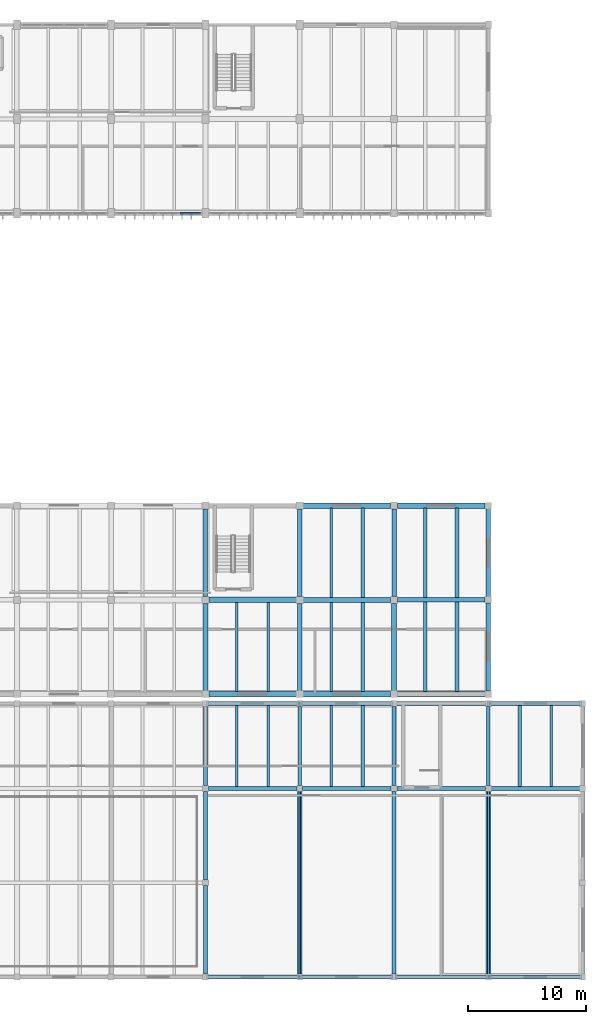
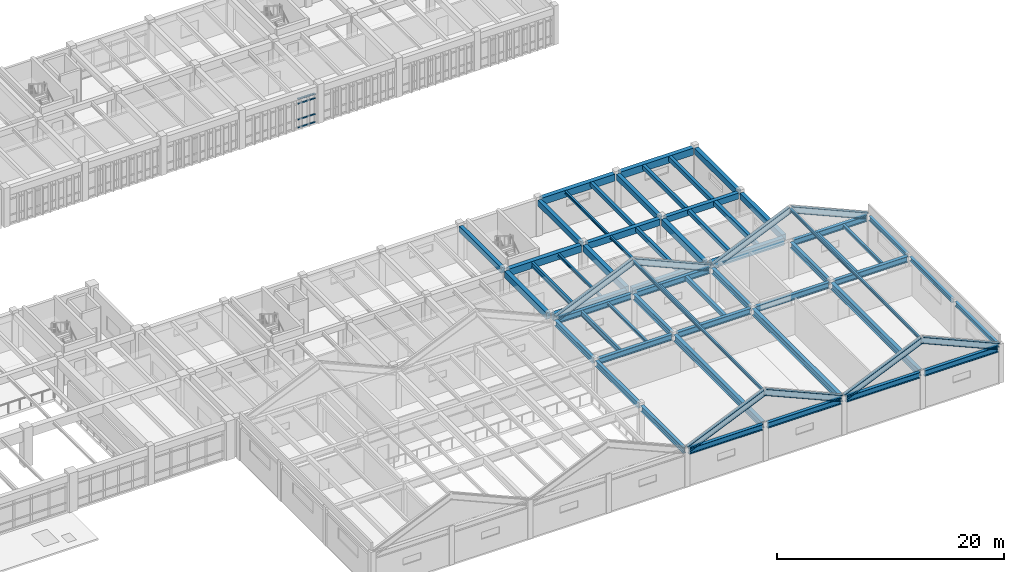
# One storey, part 26 of 67: 55 beams, 14 members, 1 element without a shape of its own.
"""IFC4 building model written with IfcOpenShell, lengths in metres."""

from ifc_helpers import new_model, si_unit, direction, frame, origin, origin_2d, place, context, subcontext, project, spatial, rectangle, i_section, extrude, material, material_profile, profile_set, type_object, element, aggregate, save


model = new_model("IFC4")

# Units and contexts
model_context = context("Model", 3, precision=1e-05, world=origin(), true_north=direction((0.0, 1.0)))
body_context = subcontext(model_context, "Body", "Model", "MODEL_VIEW")
ifc_project = project(units=[si_unit("LENGTHUNIT", "METRE"), si_unit("AREAUNIT", "SQUARE_METRE"), si_unit("VOLUMEUNIT", "CUBIC_METRE"), si_unit("PLANEANGLEUNIT", "RADIAN"), si_unit("MASSUNIT", "GRAM", prefix="KILO")], contexts=[model_context])

# Site, building, storey
site_placement = place(None, origin())
site = spatial("IfcSite", under=ifc_project, at=site_placement, CompositionType="ELEMENT")
building_placement = place(site_placement, origin())
building = spatial("IfcBuilding", under=site, at=building_placement, Name="Tlaxcora Railside Police Headquarters", CompositionType="ELEMENT")
storey_placement = place(building_placement, frame((0.0, 0.0, 4.800048828125)))
storey = spatial("IfcBuildingStorey", under=building, at=storey_placement, Name="L01", CompositionType="ELEMENT", Elevation=4.800048828125)

# Curtain wall, members
ifc_material_1 = material(Name="Thermally broken low-E insulated glazing", Category="glass")
curtain_wall_type = type_object("IfcCurtainWallType", Name="Unitised Curtain Wall Assembly CW-83", PredefinedType="NOTDEFINED", material=ifc_material_1)
curtain_wall_placement = place(storey_placement, origin())
curtain_wall = element("IfcCurtainWall", 1, at=curtain_wall_placement, inside=storey, type_object=curtain_wall_type, Name="V6 L01 curtain wall 147", PredefinedType="NOTDEFINED")
ifc_material_2 = material(Name="Anodised aluminium framing", Category="aluminium")
ifc_material_profile_1 = material_profile(ifc_material_2, rectangle(XDim=0.159912109375, YDim=0.080078125, at=origin_2d()), Name="AL80X160")
ifc_profile_set_1 = profile_set([ifc_material_profile_1], Name="Anodised aluminium framing")
member_type_1 = type_object("IfcMemberType", Name="Curtain Wall Transom CW-82", PredefinedType="USERDEFINED", material=ifc_profile_set_1)
member_1_placement = place(storey_placement, frame((132.6650390625, 76.800048828125, 0.0400390625), z_axis=(1.0, 0.0, 0.0), x_axis=(0.0, 1.0, 0.0)))
member_1 = element("IfcMember", 2, at=member_1_placement, type_object=member_type_1, Name="CW transom 4.1", ObjectType="TRANSOM", PredefinedType="USERDEFINED", context=body_context, shape_type="SweptSolid", body=[
    extrude(rectangle(XDim=0.159912109375, YDim=0.080078125, at=origin_2d()), origin(), (0.0, 0.0, 1.0), 1.705078125),
])
member_2_placement = place(storey_placement, frame((132.6650390625, 76.800048828125, 0.89990234375), z_axis=(1.0, 0.0, 0.0), x_axis=(0.0, 1.0, 0.0)))
member_2 = element("IfcMember", 3, at=member_2_placement, type_object=member_type_1, Name="CW transom 4.2", ObjectType="TRANSOM", PredefinedType="USERDEFINED", context=body_context, shape_type="SweptSolid", body=[
    extrude(rectangle(XDim=0.159912109375, YDim=0.080078125, at=origin_2d()), origin(), (0.0, 0.0, 1.0), 1.705078125),
])
member_3_placement = place(storey_placement, frame((132.6650390625, 76.800048828125, 2.60986328125), z_axis=(1.0, 0.0, 0.0), x_axis=(0.0, 1.0, 0.0)))
member_3 = element("IfcMember", 4, at=member_3_placement, type_object=member_type_1, Name="CW transom 4.3", ObjectType="TRANSOM", PredefinedType="USERDEFINED", context=body_context, shape_type="SweptSolid", body=[
    extrude(rectangle(XDim=0.159912109375, YDim=0.080078125, at=origin_2d()), origin(), (0.0, 0.0, 1.0), 1.705078125),
])
member_4_placement = place(storey_placement, frame((132.6650390625, 76.800048828125, 3.099853515625), z_axis=(1.0, 0.0, 0.0), x_axis=(0.0, 1.0, 0.0)))
member_4 = element("IfcMember", 5, at=member_4_placement, type_object=member_type_1, Name="CW transom 4.4", ObjectType="TRANSOM", PredefinedType="USERDEFINED", context=body_context, shape_type="SweptSolid", body=[
    extrude(rectangle(XDim=0.159912109375, YDim=0.080078125, at=origin_2d()), origin(), (0.0, 0.0, 1.0), 1.705078125),
])
aggregate(curtain_wall, [member_1, member_2, member_3, member_4])

# Beams
ifc_material_3 = material(Name="Steel ASTM A992 Grade 50", Category="steel")
ifc_material_profile_2 = material_profile(ifc_material_3, i_section(OverallWidth=0.280029296875, OverallDepth=0.4619140625, WebThickness=0.0107421875, FlangeThickness=0.017333984375, at=origin_2d()), Name="W18X76")
ifc_profile_set_2 = profile_set([ifc_material_profile_2], Name="Steel ASTM A992 Grade 50")
beam_type_1 = type_object("IfcBeamType", Name="Perimeter Spandrel Beam BM-33", PredefinedType="SPANDREL", material=ifc_profile_set_2)
for number, where, z_axis, x_axis, name in (
    (6, (166.800048828125, 12.239990234375, 3.718994140625), (0.0, 1.0, 0.0), (-1.0, 0.0, 0.0), "V3 L01 Y-girder X=166.8"),
    (7, (166.800048828125, 20.239990234375, 3.718994140625), (0.0, 1.0, 0.0), (-1.0, 0.0, 0.0), "V3 L01 Y-girder X=166.8"),
):
    element("IfcBeam", number, at=place(storey_placement, frame(where, z_axis=z_axis, x_axis=x_axis)), inside=storey, type_object=beam_type_1, Name=name, PredefinedType="SPANDREL", context=body_context, shape_type="SweptSolid", body=[
        extrude(i_section(OverallWidth=0.280029296875, OverallDepth=0.4619140625, WebThickness=0.0107421875, FlangeThickness=0.017333984375, at=origin_2d()), origin(), (0.0, 0.0, 1.0), 7.52001953125),
    ])
beam_1_placement = place(storey_placement, frame((166.800048828125, 28.239990234375, 3.718994140625), z_axis=(0.0, 1.0, 0.0), x_axis=(-1.0, 0.0, 0.0)))
element("IfcBeam", 8, at=beam_1_placement, inside=storey, type_object=beam_type_1, Name="V3 L01 Y-girder X=166.8", PredefinedType="SPANDREL", context=body_context, shape_type="SweptSolid", body=[
    extrude(i_section(OverallWidth=0.280029296875, OverallDepth=0.4619140625, WebThickness=0.0107421875, FlangeThickness=0.017333984375, at=origin_2d()), origin(), (0.0, 0.0, 1.0), 6.719970703125),
])
ifc_material_4 = material(Name="Concrete C40/50", Category="concrete")
ifc_material_profile_3 = material_profile(ifc_material_4, rectangle(XDim=0.39990234375, YDim=0.64990234375, at=origin_2d()), Name="RC400X650")
ifc_profile_set_3 = profile_set([ifc_material_profile_3], Name="Concrete C40/50")
beam_type_2 = type_object("IfcBeamType", Name="Perimeter Spandrel Beam BM-46", PredefinedType="SPANDREL", material=ifc_profile_set_3)
for number, where, z_axis, x_axis, name in (
    (9, (158.800048828125, 36.264892578125, 3.5849609375), (0.0, 1.0, 0.0), (-1.0, 0.0, 0.0), "V7 L01 Y-girder X=158.8"),
    (10, (158.800048828125, 44.264892578125, 3.5849609375), (0.0, 1.0, 0.0), (-1.0, 0.0, 0.0), "V7 L01 Y-girder X=158.8"),
):
    element("IfcBeam", number, at=place(storey_placement, frame(where, z_axis=z_axis, x_axis=x_axis)), inside=storey, type_object=beam_type_2, Name=name, PredefinedType="SPANDREL", context=body_context, shape_type="SweptSolid", body=[
        extrude(rectangle(XDim=0.39990234375, YDim=0.64990234375, at=origin_2d()), origin(), (0.0, 0.0, 1.0), 7.47021484375),
    ])
ifc_material_profile_4 = material_profile(ifc_material_3, i_section(OverallWidth=0.324951171875, OverallDepth=0.616943359375, WebThickness=0.013916015625, FlangeThickness=0.021484375, at=origin_2d()), Name="W24X117")
ifc_profile_set_4 = profile_set([ifc_material_profile_4], Name="Steel ASTM A992 Grade 50")
beam_type_3 = type_object("IfcBeamType", Name="Perimeter Spandrel Beam BM-60", PredefinedType="SPANDREL", material=ifc_profile_set_4)
for number, where, z_axis, x_axis, name in (
    (11, (135.0400390625, 12.0, 3.641357421875), (1.0, 0.0, 0.0), (0.0, 1.0, 0.0), "V3 L01 X-girder Y=12.0"),
    (12, (143.0400390625, 12.0, 3.641357421875), (1.0, 0.0, 0.0), (0.0, 1.0, 0.0), "V3 L01 X-girder Y=12.0"),
    (13, (151.0400390625, 12.0, 3.641357421875), (1.0, 0.0, 0.0), (0.0, 1.0, 0.0), "V3 L01 X-girder Y=12.0"),
    (14, (159.0400390625, 12.0, 3.641357421875), (1.0, 0.0, 0.0), (0.0, 1.0, 0.0), "V3 L01 X-girder Y=12.0"),
    (15, (135.0400390625, 35.199951171875, 3.641357421875), (1.0, 0.0, 0.0), (0.0, 1.0, 0.0), "V3 L01 X-girder Y=35.2"),
    (16, (143.0400390625, 35.199951171875, 3.641357421875), (1.0, 0.0, 0.0), (0.0, 1.0, 0.0), "V3 L01 X-girder Y=35.2"),
    (17, (159.0400390625, 35.199951171875, 3.641357421875), (1.0, 0.0, 0.0), (0.0, 1.0, 0.0), "V3 L01 X-girder Y=35.2"),
):
    element("IfcBeam", number, at=place(storey_placement, frame(where, z_axis=z_axis, x_axis=x_axis)), inside=storey, type_object=beam_type_3, Name=name, PredefinedType="SPANDREL", context=body_context, shape_type="SweptSolid", body=[
        extrude(i_section(OverallWidth=0.324951171875, OverallDepth=0.616943359375, WebThickness=0.013916015625, FlangeThickness=0.021484375, at=origin_2d()), origin(), (0.0, 0.0, 1.0), 7.52001953125),
    ])
ifc_material_profile_5 = material_profile(ifc_material_4, rectangle(XDim=0.449951171875, YDim=0.75, at=origin_2d()), Name="RC450X750")
ifc_profile_set_5 = profile_set([ifc_material_profile_5], Name="Concrete C40/50")
beam_type_4 = type_object("IfcBeamType", Name="Perimeter Spandrel Beam BM-86", PredefinedType="SPANDREL", material=ifc_profile_set_5)
for number, where, z_axis, x_axis, name in (
    (18, (135.090087890625, 36.0, 3.534912109375), (1.0, 0.0, 0.0), (0.0, 1.0, 0.0), "V7 L01 X-girder Y=36.0"),
    (19, (143.090087890625, 36.0, 3.534912109375), (1.0, 0.0, 0.0), (0.0, 1.0, 0.0), "V7 L01 X-girder Y=36.0"),
):
    element("IfcBeam", number, at=place(storey_placement, frame(where, z_axis=z_axis, x_axis=x_axis)), inside=storey, type_object=beam_type_4, Name=name, PredefinedType="SPANDREL", context=body_context, shape_type="SweptSolid", body=[
        extrude(rectangle(XDim=0.449951171875, YDim=0.75, at=origin_2d()), origin(), (0.0, 0.0, 1.0), 7.419921875),
    ])
beam_2_placement = place(storey_placement, frame((151.090087890625, 36.0, 3.534912109375), z_axis=(1.0, 0.0, 0.0), x_axis=(0.0, 1.0, 0.0)))
element("IfcBeam", 20, at=beam_2_placement, inside=storey, type_object=beam_type_4, Name="V7 L01 X-girder Y=36.0", PredefinedType="SPANDREL", context=body_context, shape_type="SweptSolid", body=[
    extrude(rectangle(XDim=0.449951171875, YDim=0.75, at=origin_2d()), origin(), (0.0, 0.0, 1.0), 7.44482421875),
])
beam_3_placement = place(storey_placement, frame((143.090087890625, 52.0, 3.534912109375), z_axis=(1.0, 0.0, 0.0), x_axis=(0.0, 1.0, 0.0)))
element("IfcBeam", 21, at=beam_3_placement, inside=storey, type_object=beam_type_4, Name="V7 L01 X-girder Y=52.0", PredefinedType="SPANDREL", context=body_context, shape_type="SweptSolid", body=[
    extrude(rectangle(XDim=0.449951171875, YDim=0.75, at=origin_2d()), origin(), (0.0, 0.0, 1.0), 7.419921875),
])
beam_4_placement = place(storey_placement, frame((151.090087890625, 52.0, 3.534912109375), z_axis=(1.0, 0.0, 0.0), x_axis=(0.0, 1.0, 0.0)))
element("IfcBeam", 22, at=beam_4_placement, inside=storey, type_object=beam_type_4, Name="V7 L01 X-girder Y=52.0", PredefinedType="SPANDREL", context=body_context, shape_type="SweptSolid", body=[
    extrude(rectangle(XDim=0.449951171875, YDim=0.75, at=origin_2d()), origin(), (0.0, 0.0, 1.0), 7.44482421875),
])
ifc_material_profile_6 = material_profile(ifc_material_4, rectangle(XDim=0.3798828125, YDim=0.60009765625, at=origin_2d()), Name="RC380X600")
ifc_profile_set_6 = profile_set([ifc_material_profile_6], Name="Concrete C40/50")
beam_type_5 = type_object("IfcBeamType", Name="Primary Frame Girder BM-22", PredefinedType="BEAM", material=ifc_profile_set_6)
for number, where, z_axis, x_axis, name in (
    (23, (134.800048828125, 44.2900390625, 3.60986328125), (0.0, 1.0, 0.0), (-1.0, 0.0, 0.0), "V7 L01 Y-girder X=134.8"),
    (24, (142.800048828125, 44.2900390625, 3.60986328125), (0.0, 1.0, 0.0), (-1.0, 0.0, 0.0), "V7 L01 Y-girder X=142.8"),
    (25, (150.800048828125, 44.2900390625, 3.60986328125), (0.0, 1.0, 0.0), (-1.0, 0.0, 0.0), "V7 L01 Y-girder X=150.8"),
):
    element("IfcBeam", number, at=place(storey_placement, frame(where, z_axis=z_axis, x_axis=x_axis)), inside=storey, type_object=beam_type_5, Name=name, PredefinedType="BEAM", context=body_context, shape_type="SweptSolid", body=[
        extrude(rectangle(XDim=0.3798828125, YDim=0.60009765625, at=origin_2d()), origin(), (0.0, 0.0, 1.0), 7.419921875),
    ])
ifc_material_profile_7 = material_profile(ifc_material_4, rectangle(XDim=0.419921875, YDim=0.699951171875, at=origin_2d()), Name="RC420X700")
ifc_profile_set_7 = profile_set([ifc_material_profile_7], Name="Concrete C40/50")
beam_type_6 = type_object("IfcBeamType", Name="Primary Frame Girder BM-35", PredefinedType="BEAM", material=ifc_profile_set_7)
for number, where, z_axis, x_axis, name in (
    (26, (143.090087890625, 44.0, 3.56005859375), (1.0, 0.0, 0.0), (0.0, 1.0, 0.0), "V7 L01 X-girder Y=44.0"),
    (27, (134.800048828125, 36.2900390625, 3.56005859375), (0.0, 1.0, 0.0), (-1.0, 0.0, 0.0), "V7 L01 Y-girder X=134.8"),
    (28, (142.800048828125, 36.2900390625, 3.56005859375), (0.0, 1.0, 0.0), (-1.0, 0.0, 0.0), "V7 L01 Y-girder X=142.8"),
    (29, (150.800048828125, 36.2900390625, 3.56005859375), (0.0, 1.0, 0.0), (-1.0, 0.0, 0.0), "V7 L01 Y-girder X=150.8"),
):
    element("IfcBeam", number, at=place(storey_placement, frame(where, z_axis=z_axis, x_axis=x_axis)), inside=storey, type_object=beam_type_6, Name=name, PredefinedType="BEAM", context=body_context, shape_type="SweptSolid", body=[
        extrude(rectangle(XDim=0.419921875, YDim=0.699951171875, at=origin_2d()), origin(), (0.0, 0.0, 1.0), 7.419921875),
    ])
ifc_material_profile_8 = material_profile(ifc_material_4, rectangle(XDim=0.39990234375, YDim=0.64990234375, at=origin_2d()), Name="RC400X650")
ifc_profile_set_8 = profile_set([ifc_material_profile_8], Name="Concrete C40/50")
beam_type_7 = type_object("IfcBeamType", Name="Primary Frame Girder BM-41", PredefinedType="BEAM", material=ifc_profile_set_8)
beam_5_placement = place(storey_placement, frame((151.090087890625, 44.0, 3.5849609375), z_axis=(1.0, 0.0, 0.0), x_axis=(0.0, 1.0, 0.0)))
element("IfcBeam", 30, at=beam_5_placement, inside=storey, type_object=beam_type_7, Name="V7 L01 X-girder Y=44.0", PredefinedType="BEAM", context=body_context, shape_type="SweptSolid", body=[
    extrude(rectangle(XDim=0.39990234375, YDim=0.64990234375, at=origin_2d()), origin(), (0.0, 0.0, 1.0), 7.44482421875),
])
ifc_material_profile_9 = material_profile(ifc_material_3, i_section(OverallWidth=0.324951171875, OverallDepth=0.616943359375, WebThickness=0.013916015625, FlangeThickness=0.021484375, at=origin_2d()), Name="W24X117")
ifc_profile_set_9 = profile_set([ifc_material_profile_9], Name="Steel ASTM A992 Grade 50")
beam_type_8 = type_object("IfcBeamType", Name="Primary Frame Girder BM-72", PredefinedType="BEAM", material=ifc_profile_set_9)
for number, where, z_axis, x_axis, name in (
    (31, (134.800048828125, 12.239990234375, 3.641357421875), (0.0, 1.0, 0.0), (-1.0, 0.0, 0.0), "V3 L01 Y-girder X=134.8"),
    (32, (134.800048828125, 20.239990234375, 3.641357421875), (0.0, 1.0, 0.0), (-1.0, 0.0, 0.0), "V3 L01 Y-girder X=134.8"),
):
    element("IfcBeam", number, at=place(storey_placement, frame(where, z_axis=z_axis, x_axis=x_axis)), inside=storey, type_object=beam_type_8, Name=name, PredefinedType="BEAM", context=body_context, shape_type="SweptSolid", body=[
        extrude(i_section(OverallWidth=0.324951171875, OverallDepth=0.616943359375, WebThickness=0.013916015625, FlangeThickness=0.021484375, at=origin_2d()), origin(), (0.0, 0.0, 1.0), 7.52001953125),
    ])
for number, where, z_axis, x_axis, name in (
    (33, (134.800048828125, 28.239990234375, 3.641357421875), (0.0, 1.0, 0.0), (-1.0, 0.0, 0.0), "V3 L01 Y-girder X=134.8"),
    (34, (142.800048828125, 28.239990234375, 3.641357421875), (0.0, 1.0, 0.0), (-1.0, 0.0, 0.0), "V3 L01 Y-girder X=142.8"),
    (35, (150.800048828125, 28.239990234375, 3.641357421875), (0.0, 1.0, 0.0), (-1.0, 0.0, 0.0), "V3 L01 Y-girder X=150.8"),
    (36, (158.800048828125, 28.239990234375, 3.641357421875), (0.0, 1.0, 0.0), (-1.0, 0.0, 0.0), "V3 L01 Y-girder X=158.8"),
):
    element("IfcBeam", number, at=place(storey_placement, frame(where, z_axis=z_axis, x_axis=x_axis)), inside=storey, type_object=beam_type_8, Name=name, PredefinedType="BEAM", context=body_context, shape_type="SweptSolid", body=[
        extrude(i_section(OverallWidth=0.324951171875, OverallDepth=0.616943359375, WebThickness=0.013916015625, FlangeThickness=0.021484375, at=origin_2d()), origin(), (0.0, 0.0, 1.0), 6.719970703125),
    ])
ifc_material_profile_10 = material_profile(ifc_material_4, rectangle(XDim=0.449951171875, YDim=0.75, at=origin_2d()), Name="RC450X750")
ifc_profile_set_10 = profile_set([ifc_material_profile_10], Name="Concrete C40/50")
beam_type_9 = type_object("IfcBeamType", Name="Primary Frame Girder BM-73", PredefinedType="BEAM", material=ifc_profile_set_10)
beam_6_placement = place(storey_placement, frame((135.090087890625, 44.0, 3.534912109375), z_axis=(1.0, 0.0, 0.0), x_axis=(0.0, 1.0, 0.0)))
element("IfcBeam", 37, at=beam_6_placement, inside=storey, type_object=beam_type_9, Name="V7 L01 X-girder Y=44.0", PredefinedType="BEAM", context=body_context, shape_type="SweptSolid", body=[
    extrude(rectangle(XDim=0.449951171875, YDim=0.75, at=origin_2d()), origin(), (0.0, 0.0, 1.0), 7.419921875),
])
ifc_material_profile_11 = material_profile(ifc_material_3, i_section(OverallWidth=0.3291015625, OverallDepth=0.635009765625, WebThickness=0.017822265625, FlangeThickness=0.031005859375, at=origin_2d()), Name="W24X162")
ifc_profile_set_11 = profile_set([ifc_material_profile_11], Name="Steel ASTM A992 Grade 50")
beam_type_10 = type_object("IfcBeamType", Name="Primary Frame Girder BM-77", PredefinedType="BEAM", material=ifc_profile_set_11)
for number, where, z_axis, x_axis, name in (
    (38, (135.0400390625, 28.0, 3.632568359375), (1.0, 0.0, 0.0), (0.0, 1.0, 0.0), "V3 L01 X-girder Y=28.0"),
    (39, (143.0400390625, 28.0, 3.632568359375), (1.0, 0.0, 0.0), (0.0, 1.0, 0.0), "V3 L01 X-girder Y=28.0"),
    (40, (151.0400390625, 28.0, 3.632568359375), (1.0, 0.0, 0.0), (0.0, 1.0, 0.0), "V3 L01 X-girder Y=28.0"),
    (41, (159.0400390625, 28.0, 3.632568359375), (1.0, 0.0, 0.0), (0.0, 1.0, 0.0), "V3 L01 X-girder Y=28.0"),
):
    element("IfcBeam", number, at=place(storey_placement, frame(where, z_axis=z_axis, x_axis=x_axis)), inside=storey, type_object=beam_type_10, Name=name, PredefinedType="BEAM", context=body_context, shape_type="SweptSolid", body=[
        extrude(i_section(OverallWidth=0.3291015625, OverallDepth=0.635009765625, WebThickness=0.017822265625, FlangeThickness=0.031005859375, at=origin_2d()), origin(), (0.0, 0.0, 1.0), 7.52001953125),
    ])
ifc_material_profile_12 = material_profile(ifc_material_3, i_section(OverallWidth=0.35791015625, OverallDepth=0.7060546875, WebThickness=0.018310546875, FlangeThickness=0.0302734375, at=origin_2d()), Name="W27X178")
ifc_profile_set_12 = profile_set([ifc_material_profile_12], Name="Steel ASTM A992 Grade 50")
beam_type_11 = type_object("IfcBeamType", Name="Primary Frame Girder BM-83", PredefinedType="BEAM", material=ifc_profile_set_12)
for number, where, z_axis, x_axis, name in (
    (42, (142.800048828125, 12.239990234375, 3.596923828125), (0.0, 1.0, 0.0), (-1.0, 0.0, 0.0), "V3 L01 Y-girder X=142.8"),
    (43, (150.800048828125, 12.239990234375, 3.596923828125), (0.0, 1.0, 0.0), (-1.0, 0.0, 0.0), "V3 L01 Y-girder X=150.8"),
    (44, (158.800048828125, 12.239990234375, 3.596923828125), (0.0, 1.0, 0.0), (-1.0, 0.0, 0.0), "V3 L01 Y-girder X=158.8"),
):
    element("IfcBeam", number, at=place(storey_placement, frame(where, z_axis=z_axis, x_axis=x_axis)), inside=storey, type_object=beam_type_11, Name=name, PredefinedType="BEAM", context=body_context, shape_type="SweptSolid", body=[
        extrude(i_section(OverallWidth=0.35791015625, OverallDepth=0.7060546875, WebThickness=0.018310546875, FlangeThickness=0.0302734375, at=origin_2d()), origin(), (0.0, 0.0, 1.0), 15.52001953125),
    ])

# Members
ifc_material_profile_13 = material_profile(ifc_material_3, i_section(OverallWidth=0.1650390625, OverallDepth=0.31005859375, WebThickness=0.005859375, FlangeThickness=0.009765625, at=origin_2d()), Name="W12X26")
ifc_profile_set_13 = profile_set([ifc_material_profile_13], Name="Steel ASTM A992 Grade 50")
member_type_2 = type_object("IfcMemberType", Name="Roof Purlin Member MB-98", PredefinedType="PURLIN", material=ifc_profile_set_13)
for number, where, z_axis, x_axis, name in (
    (45, (142.800048828125, 12.0, 7.300048828125), (0.0, 1.0, 0.0), (-1.0, 0.0, 0.0), "V3 roof ridge purlin 3"),
    (46, (158.800048828125, 12.0, 7.300048828125), (0.0, 1.0, 0.0), (-1.0, 0.0, 0.0), "V3 roof ridge purlin 4"),
):
    element("IfcMember", number, at=place(storey_placement, frame(where, z_axis=z_axis, x_axis=x_axis)), inside=storey, type_object=member_type_2, Name=name, PredefinedType="PURLIN", context=body_context, shape_type="SweptSolid", body=[
        extrude(i_section(OverallWidth=0.1650390625, OverallDepth=0.31005859375, WebThickness=0.005859375, FlangeThickness=0.009765625, at=origin_2d()), origin(), (0.0, 0.0, 1.0), 23.199951171875),
    ])

# Beams
ifc_material_5 = material(Name="Concrete C35/45", Category="concrete")
ifc_material_profile_14 = material_profile(ifc_material_5, rectangle(XDim=0.300048828125, YDim=0.449951171875, at=origin_2d()), Name="RC300X450")
ifc_profile_set_14 = profile_set([ifc_material_profile_14], Name="Concrete C35/45")
beam_type_12 = type_object("IfcBeamType", Name="Secondary Floor Joist BM-27", PredefinedType="JOIST", material=ifc_profile_set_14)
beam_7_placement = place(storey_placement, frame((148.13330078125, 28.156494140625, 3.724853515625), z_axis=(0.0, 1.0, 0.0), x_axis=(-1.0, 0.0, 0.0)))
element("IfcBeam", 47, at=beam_7_placement, inside=storey, type_object=beam_type_12, Name="V3 L01 floor joist X=148.13", PredefinedType="JOIST", context=body_context, shape_type="SweptSolid", body=[
    extrude(rectangle(XDim=0.300048828125, YDim=0.449951171875, at=origin_2d()), origin(), (0.0, 0.0, 1.0), 6.888916015625),
])
beam_8_placement = place(storey_placement, frame((148.13330078125, 36.217041015625, 3.68505859375), z_axis=(0.0, 1.0, 0.0), x_axis=(-1.0, 0.0, 0.0)))
element("IfcBeam", 48, at=beam_8_placement, inside=storey, type_object=beam_type_12, Name="V7 L01 floor joist X=148.13", PredefinedType="JOIST", context=body_context, shape_type="SweptSolid", body=[
    extrude(rectangle(XDim=0.300048828125, YDim=0.449951171875, at=origin_2d()), origin(), (0.0, 0.0, 1.0), 7.5810546875),
])
beam_9_placement = place(storey_placement, frame((153.466796875, 36.217041015625, 3.68505859375), z_axis=(0.0, 1.0, 0.0), x_axis=(-1.0, 0.0, 0.0)))
element("IfcBeam", 49, at=beam_9_placement, inside=storey, type_object=beam_type_12, Name="V7 L01 floor joist X=153.47", PredefinedType="JOIST", context=body_context, shape_type="SweptSolid", body=[
    extrude(rectangle(XDim=0.300048828125, YDim=0.449951171875, at=origin_2d()), origin(), (0.0, 0.0, 1.0), 7.591064453125),
])
beam_10_placement = place(storey_placement, frame((148.13330078125, 44.201904296875, 3.68505859375), z_axis=(0.0, 1.0, 0.0), x_axis=(-1.0, 0.0, 0.0)))
element("IfcBeam", 50, at=beam_10_placement, inside=storey, type_object=beam_type_12, Name="V7 L01 floor joist X=148.13", PredefinedType="JOIST", context=body_context, shape_type="SweptSolid", body=[
    extrude(rectangle(XDim=0.300048828125, YDim=0.449951171875, at=origin_2d()), origin(), (0.0, 0.0, 1.0), 7.5810546875),
])
beam_11_placement = place(storey_placement, frame((153.466796875, 44.19189453125, 3.68505859375), z_axis=(0.0, 1.0, 0.0), x_axis=(-1.0, 0.0, 0.0)))
element("IfcBeam", 51, at=beam_11_placement, inside=storey, type_object=beam_type_12, Name="V7 L01 floor joist X=153.47", PredefinedType="JOIST", context=body_context, shape_type="SweptSolid", body=[
    extrude(rectangle(XDim=0.300048828125, YDim=0.449951171875, at=origin_2d()), origin(), (0.0, 0.0, 1.0), 7.591064453125),
])
ifc_material_profile_15 = material_profile(ifc_material_3, i_section(OverallWidth=0.2041015625, OverallDepth=0.35009765625, WebThickness=0.008544921875, FlangeThickness=0.01513671875, at=origin_2d()), Name="W14X48")
ifc_profile_set_15 = profile_set([ifc_material_profile_15], Name="Steel ASTM A992 Grade 50")
beam_type_13 = type_object("IfcBeamType", Name="Secondary Floor Joist BM-65", PredefinedType="JOIST", material=ifc_profile_set_15)
beam_12_placement = place(storey_placement, frame((164.13330078125, 28.156494140625, 3.77490234375), z_axis=(0.0, 1.0, 0.0), x_axis=(-1.0, 0.0, 0.0)))
element("IfcBeam", 52, at=beam_12_placement, inside=storey, type_object=beam_type_13, Name="V3 L01 floor joist X=164.13", PredefinedType="JOIST", context=body_context, shape_type="SweptSolid", body=[
    extrude(i_section(OverallWidth=0.2041015625, OverallDepth=0.35009765625, WebThickness=0.008544921875, FlangeThickness=0.01513671875, at=origin_2d()), origin(), (0.0, 0.0, 1.0), 6.888916015625),
])
ifc_material_profile_16 = material_profile(ifc_material_5, rectangle(XDim=0.320068359375, YDim=0.5, at=origin_2d()), Name="RC320X500")
ifc_profile_set_16 = profile_set([ifc_material_profile_16], Name="Concrete C35/45")
beam_type_14 = type_object("IfcBeamType", Name="Secondary Floor Joist BM-88", PredefinedType="JOIST", material=ifc_profile_set_16)
beam_13_placement = place(storey_placement, frame((161.466796875, 28.156494140625, 3.699951171875), z_axis=(0.0, 1.0, 0.0), x_axis=(-1.0, 0.0, 0.0)))
element("IfcBeam", 53, at=beam_13_placement, inside=storey, type_object=beam_type_14, Name="V3 L01 floor joist X=161.47", PredefinedType="JOIST", context=body_context, shape_type="SweptSolid", body=[
    extrude(rectangle(XDim=0.320068359375, YDim=0.5, at=origin_2d()), origin(), (0.0, 0.0, 1.0), 6.888916015625),
])
for number, where, z_axis, x_axis, name in (
    (54, (156.13330078125, 36.217041015625, 3.659912109375), (0.0, 1.0, 0.0), (-1.0, 0.0, 0.0), "V7 L01 floor joist X=156.13"),
    (55, (156.13330078125, 44.19189453125, 3.659912109375), (0.0, 1.0, 0.0), (-1.0, 0.0, 0.0), "V7 L01 floor joist X=156.13"),
):
    element("IfcBeam", number, at=place(storey_placement, frame(where, z_axis=z_axis, x_axis=x_axis)), inside=storey, type_object=beam_type_14, Name=name, PredefinedType="JOIST", context=body_context, shape_type="SweptSolid", body=[
        extrude(rectangle(XDim=0.320068359375, YDim=0.5, at=origin_2d()), origin(), (0.0, 0.0, 1.0), 7.591064453125),
    ])
ifc_material_profile_17 = material_profile(ifc_material_3, i_section(OverallWidth=0.202880859375, OverallDepth=0.302978515625, WebThickness=0.007568359375, FlangeThickness=0.01318359375, at=origin_2d()), Name="W12X40")
ifc_profile_set_17 = profile_set([ifc_material_profile_17], Name="Steel ASTM A992 Grade 50")
beam_type_15 = type_object("IfcBeamType", Name="Secondary Floor Joist BM-96", PredefinedType="JOIST", material=ifc_profile_set_17)
for number, where, z_axis, x_axis, name in (
    (56, (140.13330078125, 28.156494140625, 3.79833984375), (0.0, 1.0, 0.0), (-1.0, 0.0, 0.0), "V3 L01 floor joist X=140.13"),
    (57, (145.466796875, 28.156494140625, 3.79833984375), (0.0, 1.0, 0.0), (-1.0, 0.0, 0.0), "V3 L01 floor joist X=145.47"),
):
    element("IfcBeam", number, at=place(storey_placement, frame(where, z_axis=z_axis, x_axis=x_axis)), inside=storey, type_object=beam_type_15, Name=name, PredefinedType="JOIST", context=body_context, shape_type="SweptSolid", body=[
        extrude(i_section(OverallWidth=0.202880859375, OverallDepth=0.302978515625, WebThickness=0.007568359375, FlangeThickness=0.01318359375, at=origin_2d()), origin(), (0.0, 0.0, 1.0), 6.888916015625),
    ])
beam_14_placement = place(storey_placement, frame((140.13330078125, 36.217041015625, 3.758544921875), z_axis=(0.0, 1.0, 0.0), x_axis=(-1.0, 0.0, 0.0)))
element("IfcBeam", 58, at=beam_14_placement, inside=storey, type_object=beam_type_15, Name="V7 L01 floor joist X=140.13", PredefinedType="JOIST", context=body_context, shape_type="SweptSolid", body=[
    extrude(i_section(OverallWidth=0.202880859375, OverallDepth=0.302978515625, WebThickness=0.007568359375, FlangeThickness=0.01318359375, at=origin_2d()), origin(), (0.0, 0.0, 1.0), 7.56591796875),
])
for number, where, z_axis, x_axis, name in (
    (59, (145.466796875, 36.217041015625, 3.758544921875), (0.0, 1.0, 0.0), (-1.0, 0.0, 0.0), "V7 L01 floor joist X=145.47"),
    (60, (145.466796875, 44.201904296875, 3.758544921875), (0.0, 1.0, 0.0), (-1.0, 0.0, 0.0), "V7 L01 floor joist X=145.47"),
):
    element("IfcBeam", number, at=place(storey_placement, frame(where, z_axis=z_axis, x_axis=x_axis)), inside=storey, type_object=beam_type_15, Name=name, PredefinedType="JOIST", context=body_context, shape_type="SweptSolid", body=[
        extrude(i_section(OverallWidth=0.202880859375, OverallDepth=0.302978515625, WebThickness=0.007568359375, FlangeThickness=0.01318359375, at=origin_2d()), origin(), (0.0, 0.0, 1.0), 7.5810546875),
    ])
ifc_material_profile_18 = material_profile(ifc_material_3, i_section(OverallWidth=0.214111328125, OverallDepth=0.549072265625, WebThickness=0.0146484375, FlangeThickness=0.023681640625, at=origin_2d()), Name="W21X93")
ifc_profile_set_18 = profile_set([ifc_material_profile_18], Name="Steel ASTM A992 Grade 50")
beam_type_16 = type_object("IfcBeamType", Name="Secondary Floor Joist BM-97", PredefinedType="JOIST", material=ifc_profile_set_18)
beam_15_placement = place(storey_placement, frame((137.466796875, 28.156494140625, 3.675537109375), z_axis=(0.0, 1.0, 0.0), x_axis=(-1.0, 0.0, 0.0)))
element("IfcBeam", 61, at=beam_15_placement, inside=storey, type_object=beam_type_16, Name="V3 L01 floor joist X=137.47", PredefinedType="JOIST", context=body_context, shape_type="SweptSolid", body=[
    extrude(i_section(OverallWidth=0.214111328125, OverallDepth=0.549072265625, WebThickness=0.0146484375, FlangeThickness=0.023681640625, at=origin_2d()), origin(), (0.0, 0.0, 1.0), 6.888916015625),
])
beam_16_placement = place(storey_placement, frame((137.466796875, 36.217041015625, 3.635498046875), z_axis=(0.0, 1.0, 0.0), x_axis=(-1.0, 0.0, 0.0)))
element("IfcBeam", 62, at=beam_16_placement, inside=storey, type_object=beam_type_16, Name="V7 L01 floor joist X=137.47", PredefinedType="JOIST", context=body_context, shape_type="SweptSolid", body=[
    extrude(i_section(OverallWidth=0.214111328125, OverallDepth=0.549072265625, WebThickness=0.0146484375, FlangeThickness=0.023681640625, at=origin_2d()), origin(), (0.0, 0.0, 1.0), 7.56591796875),
])

# Members
ifc_material_profile_19 = material_profile(ifc_material_3, i_section(OverallWidth=0.3291015625, OverallDepth=0.635009765625, WebThickness=0.017822265625, FlangeThickness=0.031005859375, at=origin_2d()), Name="W24X162")
ifc_profile_set_19 = profile_set([ifc_material_profile_19], Name="Steel ASTM A992 Grade 50")
member_type_3 = type_object("IfcMemberType", Name="Truss Chord Member MB-35", PredefinedType="CHORD", material=ifc_profile_set_19)
for number, where, z_axis, x_axis, name in (
    (63, (135.0, 12.0, 3.89990234375), (0.91669057491, 0.0, 0.399597785119), (0.0, 1.0, 0.0), "V3 gable rafter 3W"),
    (64, (150.60009765625, 12.0, 3.89990234375), (-0.91669057491, 0.0, 0.399597785119), (0.0, -1.0, 0.0), "V3 gable rafter 3E"),
    (65, (135.0, 35.199951171875, 3.89990234375), (0.91669057491, 0.0, 0.399597785119), (0.0, 1.0, 0.0), "V3 gable rafter 3W"),
    (66, (150.60009765625, 35.199951171875, 3.89990234375), (-0.91669057491, 0.0, 0.399597785119), (0.0, -1.0, 0.0), "V3 gable rafter 3E"),
    (67, (151.0, 12.0, 3.89990234375), (0.91669057491, 0.0, 0.399597785119), (0.0, 1.0, 0.0), "V3 gable rafter 4W"),
    (68, (166.60009765625, 12.0, 3.89990234375), (-0.91669057491, 0.0, 0.399597785119), (0.0, -1.0, 0.0), "V3 gable rafter 4E"),
    (69, (151.0, 35.199951171875, 3.89990234375), (0.91669057491, 0.0, 0.399597785119), (0.0, 1.0, 0.0), "V3 gable rafter 4W"),
    (70, (166.60009765625, 35.199951171875, 3.89990234375), (-0.91669057491, 0.0, 0.399597785119), (0.0, -1.0, 0.0), "V3 gable rafter 4E"),
):
    element("IfcMember", number, at=place(storey_placement, frame(where, z_axis=z_axis, x_axis=x_axis)), inside=storey, type_object=member_type_3, Name=name, PredefinedType="CHORD", context=body_context, shape_type="SweptSolid", body=[
        extrude(i_section(OverallWidth=0.3291015625, OverallDepth=0.635009765625, WebThickness=0.017822265625, FlangeThickness=0.031005859375, at=origin_2d()), origin(), (0.0, 0.0, 1.0), 8.509033203125),
    ])

save(model, "model.ifc")
